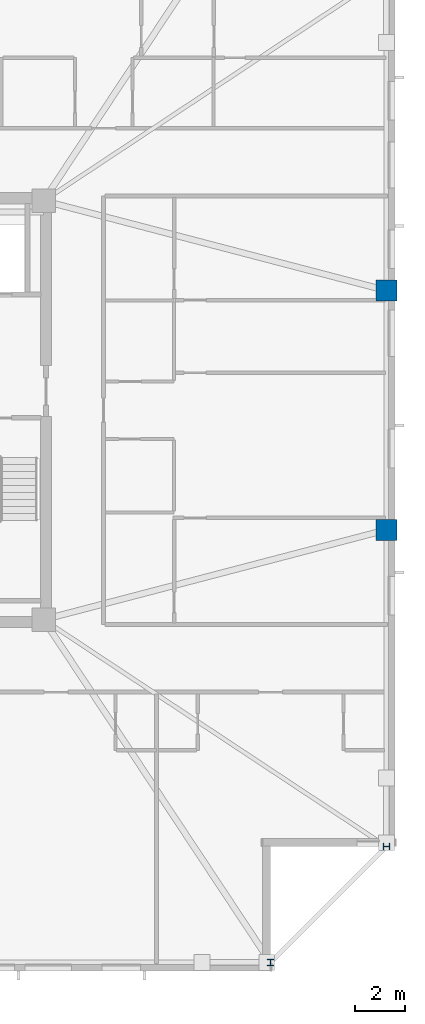
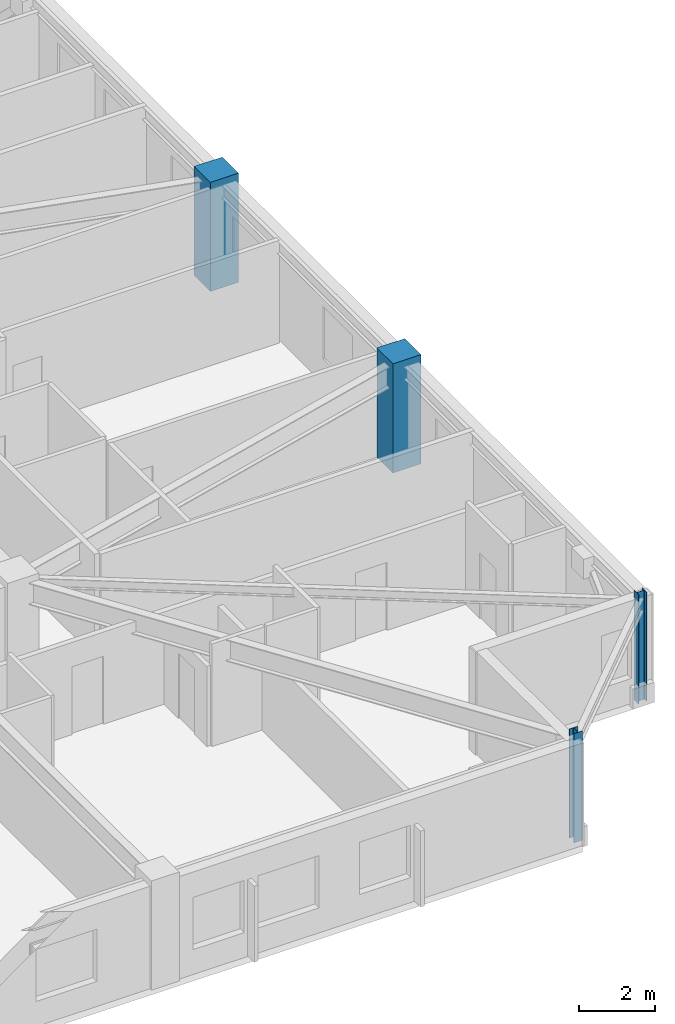
# One storey, part 3 of 17: 4 columns.
"""IFC4 building model written with IfcOpenShell, lengths in metres."""

from ifc_helpers import new_model, si_unit, direction, frame, origin, origin_2d, place, context, subcontext, project, spatial, rectangle, i_section, extrude, material, material_profile, profile_set, type_object, element, save


model = new_model("IFC4")

# Units and contexts
model_context = context("Model", 3, precision=1e-05, world=origin(), true_north=direction((0.0, 1.0)))
body_context = subcontext(model_context, "Body", "Model", "MODEL_VIEW")
ifc_project = project(units=[si_unit("LENGTHUNIT", "METRE"), si_unit("AREAUNIT", "SQUARE_METRE"), si_unit("VOLUMEUNIT", "CUBIC_METRE"), si_unit("PLANEANGLEUNIT", "RADIAN"), si_unit("MASSUNIT", "GRAM", prefix="KILO")], contexts=[model_context])

# Site, building, storey
site_placement = place(None, origin())
site = spatial("IfcSite", under=ifc_project, at=site_placement, CompositionType="ELEMENT")
building_placement = place(site_placement, origin())
building = spatial("IfcBuilding", under=site, at=building_placement, Name="Cairnveth Concourse Tower", CompositionType="ELEMENT")
storey_placement = place(building_placement, frame((0.0, 0.0, 213.0)))
storey = spatial("IfcBuildingStorey", under=building, at=storey_placement, Name="L58", CompositionType="ELEMENT", Elevation=213.0)

# Columns
ifc_material_1 = material(Name="Concrete N65 (65 MPa)", Category="concrete")
ifc_material_profile_1 = material_profile(ifc_material_1, rectangle(XDim=0.85009765625, YDim=0.85009765625, at=origin_2d()), Name="RC-COL-850x850")
ifc_profile_set_1 = profile_set([ifc_material_profile_1], Name="Concrete N65 (65 MPa)")
column_type_1 = type_object("IfcColumnType", Name="PERIMETER PIER COLUMN 850X850", PredefinedType="COLUMN", material=ifc_profile_set_1)
for number, where, z_axis, x_axis, name in (
    (1, (74.14990234375, 34.199951171875, 0.0), (0.0, 0.0, 1.0), (0.0, 1.0, 0.0), "Column P-E2 L58"),
    (2, (74.14990234375, 43.800048828125, 0.0), (0.0, 0.0, 1.0), (0.0, 1.0, 0.0), "Column P-E3 L58"),
):
    element("IfcColumn", number, at=place(storey_placement, frame(where, z_axis=z_axis, x_axis=x_axis)), inside=storey, type_object=column_type_1, Name=name, PredefinedType="COLUMN", context=body_context, shape_type="SweptSolid", body=[
        extrude(rectangle(XDim=0.85009765625, YDim=0.85009765625, at=origin_2d()), origin(), (0.0, 0.0, 1.0), 3.5),
    ])
ifc_material_2 = material(Name="Steel Grade 350", Category="steel")
ifc_material_profile_2 = material_profile(ifc_material_2, i_section(OverallWidth=0.256103515625, OverallDepth=0.260009765625, WebThickness=0.010498046875, FlangeThickness=0.017333984375, FilletRadius=0.012939453125, at=origin_2d()), Name="250UC89.5")
ifc_profile_set_2 = profile_set([ifc_material_profile_2], Name="Steel Grade 350")
column_type_2 = type_object("IfcColumnType", Name="UNIVERSAL STEEL COLUMN 250UC89.5", PredefinedType="COLUMN", material=ifc_profile_set_2)
for number, where, z_axis, x_axis, name in (
    (3, (69.5, 16.85009765625, 0.0), (0.0, 0.0, 1.0), (1.0, 0.0, 0.0), "Column P-S4 L58"),
    (4, (74.14990234375, 21.5, 0.0), (0.0, 0.0, 1.0), (0.0, 1.0, 0.0), "Column P-E1 L58"),
):
    element("IfcColumn", number, at=place(storey_placement, frame(where, z_axis=z_axis, x_axis=x_axis)), inside=storey, type_object=column_type_2, Name=name, PredefinedType="COLUMN", context=body_context, shape_type="SweptSolid", body=[
        extrude(i_section(OverallWidth=0.256103515625, OverallDepth=0.260009765625, WebThickness=0.010498046875, FlangeThickness=0.017333984375, FilletRadius=0.012939453125, at=origin_2d()), origin(), (0.0, 0.0, 1.0), 3.5),
    ])

save(model, "model.ifc")
